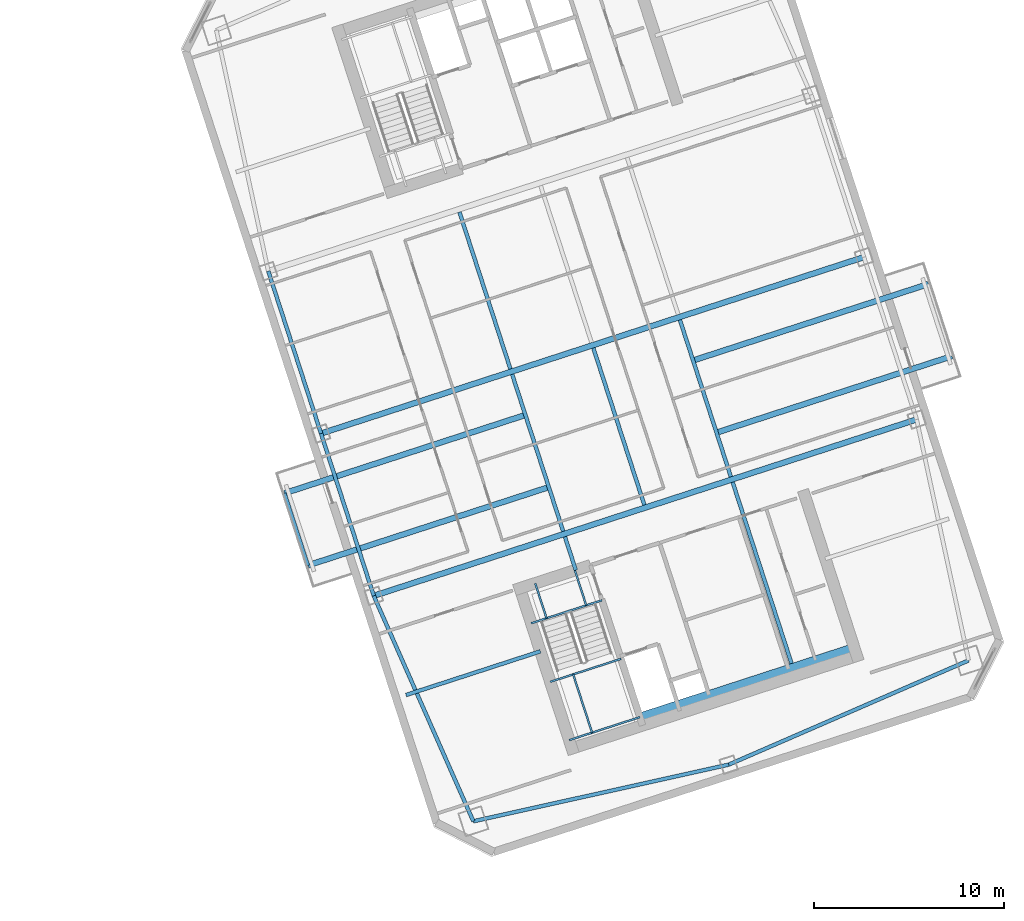
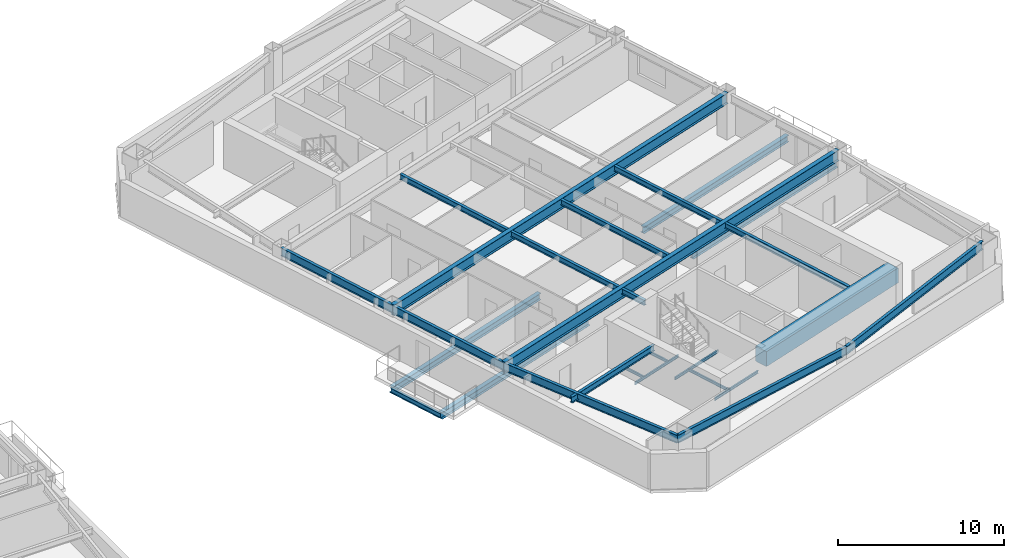
# One storey, part 9 of 22: 26 beams.
"""IFC4 building model written with IfcOpenShell, lengths in metres."""

from ifc_helpers import new_model, si_unit, direction, frame, origin, origin_2d, place, context, subcontext, project, spatial, rectangle, i_section, extrude, material, material_profile, profile_set, type_object, element, save


model = new_model("IFC4")

# Units and contexts
model_context = context("Model", 3, precision=1e-05, world=origin(), true_north=direction((0.0, 1.0)))
body_context = subcontext(model_context, "Body", "Model", "MODEL_VIEW")
ifc_project = project(units=[si_unit("LENGTHUNIT", "METRE"), si_unit("AREAUNIT", "SQUARE_METRE"), si_unit("VOLUMEUNIT", "CUBIC_METRE"), si_unit("PLANEANGLEUNIT", "RADIAN"), si_unit("MASSUNIT", "GRAM", prefix="KILO")], contexts=[model_context])

# Site, building, storey
site_placement = place(None, origin())
site = spatial("IfcSite", under=ifc_project, at=site_placement, CompositionType="ELEMENT")
building_placement = place(site_placement, origin())
building = spatial("IfcBuilding", under=site, at=building_placement, Name="Qiaolan Cultural Towers", CompositionType="ELEMENT")
storey_placement = place(building_placement, frame((0.0, 0.0, 146.050048828125)))
storey = spatial("IfcBuildingStorey", under=building, at=storey_placement, Name="L38", CompositionType="ELEMENT", Elevation=146.050048828125)

# Beams
ifc_material_1 = material(Name="Steel Q355B", Category="steel")
ifc_material_profile_1 = material_profile(ifc_material_1, i_section(OverallWidth=0.300048828125, OverallDepth=0.488037109375, WebThickness=0.010986328125, FlangeThickness=0.01806640625, at=origin_2d()), Name="HM488x300x11x18")
ifc_profile_set_1 = profile_set([ifc_material_profile_1], Name="Steel Q355B")
beam_type_1 = type_object("IfcBeamType", Name="BM-HM488x300x11x18", PredefinedType="BEAM", material=ifc_profile_set_1)
for number, where, z_axis, x_axis, name in (
    (1, (87.697998046875, 26.522705078125, -0.524169921875), (-0.951053553769, -0.309026111943, 0.0), (0.309026111943, -0.951053553769, 0.0), "L38 T2 Tree Balcony Back-Spanned Bracket Beam"),
    (2, (86.4619140625, 30.326904296875, -0.524169921875), (-0.951053553769, -0.309026111943, 0.0), (0.309026111943, -0.951053553769, 0.0), "L38 T2 Tree Balcony Back-Spanned Bracket Beam"),
):
    element("IfcBeam", number, at=place(storey_placement, frame(where, z_axis=z_axis, x_axis=x_axis)), inside=storey, type_object=beam_type_1, Name=name, PredefinedType="BEAM", context=body_context, shape_type="SweptSolid", body=[
        extrude(i_section(OverallWidth=0.300048828125, OverallDepth=0.488037109375, WebThickness=0.010986328125, FlangeThickness=0.01806640625, at=origin_2d()), origin(), (0.0, 0.0, 1.0), 13.349853515625),
    ])
for number, where, z_axis, x_axis, name in (
    (3, (96.542724609375, 29.396484375, -0.524169921875), (0.951056200688, 0.309017965713, 0.0), (-0.309017965713, 0.951056200688, 0.0), "L38 T2 Tree Balcony Back-Spanned Bracket Beam"),
    (4, (95.306640625, 33.20068359375, -0.524169921875), (0.951056200688, 0.309017965713, 0.0), (-0.309017965713, 0.951056200688, 0.0), "L38 T2 Tree Balcony Back-Spanned Bracket Beam"),
):
    element("IfcBeam", number, at=place(storey_placement, frame(where, z_axis=z_axis, x_axis=x_axis)), inside=storey, type_object=beam_type_1, Name=name, PredefinedType="BEAM", context=body_context, shape_type="SweptSolid", body=[
        extrude(i_section(OverallWidth=0.300048828125, OverallDepth=0.488037109375, WebThickness=0.010986328125, FlangeThickness=0.01806640625, at=origin_2d()), origin(), (0.0, 0.0, 1.0), 13.050048828125),
    ])
ifc_material_2 = material(Name="Steel Q355B", Category="steel")
ifc_material_profile_2 = material_profile(ifc_material_2, i_section(OverallWidth=0.300048828125, OverallDepth=0.800048828125, WebThickness=0.013916015625, FlangeThickness=0.02587890625, at=origin_2d()), Name="HN800x300x14x26")
ifc_profile_set_2 = profile_set([ifc_material_profile_2], Name="Steel Q355B")
beam_type_2 = type_object("IfcBeamType", Name="BM-HN800x300x14x26", PredefinedType="BEAM", material=ifc_profile_set_2)
beam_1_placement = place(storey_placement, frame((78.4677734375, 20.789794921875, 2.7900390625), z_axis=(0.951055226628, 0.309020963535, 0.0), x_axis=(-0.309020963535, 0.951055226628, 0.0)))
element("IfcBeam", 5, at=beam_1_placement, inside=storey, type_object=beam_type_2, Name="L38 T2 Primary Transverse Girder V1", PredefinedType="BEAM", context=body_context, shape_type="SweptSolid", body=[
    extrude(i_section(OverallWidth=0.300048828125, OverallDepth=0.800048828125, WebThickness=0.013916015625, FlangeThickness=0.02587890625, at=origin_2d()), origin(), (0.0, 0.0, 1.0), 30.099853515625),
])
beam_2_placement = place(storey_placement, frame((75.6865234375, 29.349365234375, 2.7900390625), z_axis=(0.951058384903, 0.309011243331, 0.0), x_axis=(-0.309011243331, 0.951058384903, 0.0)))
element("IfcBeam", 6, at=beam_2_placement, inside=storey, type_object=beam_type_2, Name="L38 T2 Primary Transverse Girder V2", PredefinedType="BEAM", context=body_context, shape_type="SweptSolid", body=[
    extrude(i_section(OverallWidth=0.300048828125, OverallDepth=0.800048828125, WebThickness=0.013916015625, FlangeThickness=0.02587890625, at=origin_2d()), origin(), (0.0, 0.0, 1.0), 30.10009765625),
])
ifc_material_3 = material(Name="Steel Q355B", Category="steel")
ifc_material_profile_3 = material_profile(ifc_material_3, i_section(OverallWidth=0.175048828125, OverallDepth=0.35009765625, WebThickness=0.007080078125, FlangeThickness=0.010986328125, at=origin_2d()), Name="HN350x175x7x11")
ifc_profile_set_3 = profile_set([ifc_material_profile_3], Name="Steel Q355B")
beam_type_3 = type_object("IfcBeamType", Name="BM-JST-HN350x175x7x11", PredefinedType="JOIST", material=ifc_profile_set_3)
beam_3_placement = place(storey_placement, frame((75.00146484375, 22.397216796875, -0.524169921875), z_axis=(-0.309022586479, 0.951054699292, 0.0), x_axis=(-0.951054699292, -0.309022586479, 0.0)))
element("IfcBeam", 7, at=beam_3_placement, inside=storey, type_object=beam_type_3, Name="L38 T2 Tree Balcony Outer Edge Beam", PredefinedType="JOIST", context=body_context, shape_type="SweptSolid", body=[
    extrude(i_section(OverallWidth=0.175048828125, OverallDepth=0.35009765625, WebThickness=0.007080078125, FlangeThickness=0.010986328125, at=origin_2d()), origin(), (0.0, 0.0, 1.0), 4.0),
])
ifc_material_4 = material(Name="Steel Q355B", Category="steel")
ifc_material_profile_4 = material_profile(ifc_material_4, i_section(OverallWidth=0.199951171875, OverallDepth=0.39990234375, WebThickness=0.008056640625, FlangeThickness=0.012939453125, at=origin_2d()), Name="HN400x200x8x13")
ifc_profile_set_4 = profile_set([ifc_material_profile_4], Name="Steel Q355B")
beam_type_4 = type_object("IfcBeamType", Name="BM-JST-HN400x200x8x13", PredefinedType="JOIST", material=ifc_profile_set_4)
beam_4_placement = place(storey_placement, frame((89.119384765625, 22.147705078125, 2.989990234375), z_axis=(-0.308933885266, 0.951083516067, 0.0), x_axis=(-0.951083516067, -0.308933885266, 0.0)))
element("IfcBeam", 8, at=beam_4_placement, inside=storey, type_object=beam_type_4, Name="L38 T2 Secondary Floor Joist U1-1", PredefinedType="JOIST", context=body_context, shape_type="SweptSolid", body=[
    extrude(i_section(OverallWidth=0.199951171875, OverallDepth=0.39990234375, WebThickness=0.008056640625, FlangeThickness=0.012939453125, at=origin_2d()), origin(), (0.0, 0.0, 1.0), 1.85009765625),
])
for number, where, z_axis, x_axis, name in (
    (9, (88.455078125, 24.192626953125, 2.989990234375), (-0.309020714809, 0.951055307445, 0.0), (-0.951055307445, -0.309020714809, 0.0), "L38 T2 Secondary Floor Joist U1-2"),
    (10, (85.673828125, 32.752197265625, 2.989990234375), (-0.309020714809, 0.951055307445, 0.0), (-0.951055307445, -0.309020714809, 0.0), "L38 T2 Secondary Floor Joist U1-3"),
    (11, (92.73486328125, 25.583251953125, 2.989990234375), (-0.309020714809, 0.951055307445, 0.0), (-0.951055307445, -0.309020714809, 0.0), "L38 T2 Secondary Floor Joist U2-2"),
):
    element("IfcBeam", number, at=place(storey_placement, frame(where, z_axis=z_axis, x_axis=x_axis)), inside=storey, type_object=beam_type_4, Name=name, PredefinedType="JOIST", context=body_context, shape_type="SweptSolid", body=[
        extrude(i_section(OverallWidth=0.199951171875, OverallDepth=0.39990234375, WebThickness=0.008056640625, FlangeThickness=0.012939453125, at=origin_2d()), origin(), (0.0, 0.0, 1.0), 8.699951171875),
    ])
beam_5_placement = place(storey_placement, frame((100.498291015625, 17.222900390625, 2.989990234375), z_axis=(-0.309025649293, 0.951053704098, 0.0), x_axis=(-0.951053704098, -0.309025649293, 0.0)))
element("IfcBeam", 12, at=beam_5_placement, inside=storey, type_object=beam_type_4, Name="L38 T2 Secondary Floor Joist U3-1", PredefinedType="JOIST", context=body_context, shape_type="SweptSolid", body=[
    extrude(i_section(OverallWidth=0.199951171875, OverallDepth=0.39990234375, WebThickness=0.008056640625, FlangeThickness=0.012939453125, at=origin_2d()), origin(), (0.0, 0.0, 1.0), 10.050048828125),
])
beam_6_placement = place(storey_placement, frame((97.2998046875, 27.06640625, 2.989990234375), z_axis=(-0.309020714809, 0.951055307445, 0.0), x_axis=(-0.951055307445, -0.309020714809, 0.0)))
element("IfcBeam", 13, at=beam_6_placement, inside=storey, type_object=beam_type_4, Name="L38 T2 Secondary Floor Joist U3-2", PredefinedType="JOIST", context=body_context, shape_type="SweptSolid", body=[
    extrude(i_section(OverallWidth=0.199951171875, OverallDepth=0.39990234375, WebThickness=0.008056640625, FlangeThickness=0.012939453125, at=origin_2d()), origin(), (0.0, 0.0, 1.0), 8.699951171875),
])
ifc_material_5 = material(Name="Steel Q355B", Category="steel")
ifc_material_profile_5 = material_profile(ifc_material_5, i_section(OverallWidth=0.199951171875, OverallDepth=0.449951171875, WebThickness=0.009033203125, FlangeThickness=0.013916015625, at=origin_2d()), Name="HN450x200x9x14")
ifc_profile_set_5 = profile_set([ifc_material_profile_5], Name="Steel Q355B")
beam_type_5 = type_object("IfcBeamType", Name="BM-LNT-HN450x200x9x14", PredefinedType="LINTEL", material=ifc_profile_set_5)
beam_7_placement = place(storey_placement, frame((87.252685546875, 17.861083984375, 2.96484375), z_axis=(-0.951064407856, -0.308992705592, 0.0), x_axis=(0.308992705592, -0.951064407856, 0.0)))
element("IfcBeam", 14, at=beam_7_placement, inside=storey, type_object=beam_type_5, Name="L38 T2 Core Flank Tie Lintel WS", PredefinedType="LINTEL", context=body_context, shape_type="SweptSolid", body=[
    extrude(i_section(OverallWidth=0.199951171875, OverallDepth=0.449951171875, WebThickness=0.009033203125, FlangeThickness=0.013916015625, at=origin_2d()), origin(), (0.0, 0.0, 1.0), 7.449951171875),
])
ifc_material_6 = material(Name="Concrete C50", Category="concrete")
ifc_material_profile_6 = material_profile(ifc_material_6, rectangle(XDim=0.89990234375, YDim=1.10009765625, at=origin_2d()), Name="RC900x1100")
ifc_profile_set_6 = profile_set([ifc_material_profile_6], Name="Concrete C50")
beam_type_6 = type_object("IfcBeamType", Name="BM-RC900x1100", PredefinedType="BEAM", material=ifc_profile_set_6)
beam_8_placement = place(storey_placement, frame((92.572265625, 14.174560546875, 2.639892578125), z_axis=(0.951056266386, 0.309017763514, 0.0), x_axis=(-0.309017763514, 0.951056266386, 0.0)))
element("IfcBeam", 15, at=beam_8_placement, inside=storey, type_object=beam_type_6, Name="L38 T2 Core Header Girder S", PredefinedType="BEAM", context=body_context, shape_type="SweptSolid", body=[
    extrude(rectangle(XDim=0.89990234375, YDim=1.10009765625, at=origin_2d()), origin(), (0.0, 0.0, 1.0), 11.880126953125),
])
ifc_material_7 = material(Name="Steel Q355B", Category="steel")
ifc_material_profile_7 = material_profile(ifc_material_7, i_section(OverallWidth=0.199951171875, OverallDepth=0.60009765625, WebThickness=0.010986328125, FlangeThickness=0.01708984375, at=origin_2d()), Name="HN600x200x11x17")
ifc_profile_set_7 = profile_set([ifc_material_profile_7], Name="Steel Q355B")
beam_type_7 = type_object("IfcBeamType", Name="BM-SPD-HN600x200x11x17", PredefinedType="SPANDREL", material=ifc_profile_set_7)
beam_9_placement = place(storey_placement, frame((83.71875, 8.900634765625, 2.889892578125), z_axis=(0.976265293399, 0.216578108094, 0.0), x_axis=(-0.216578108094, 0.976265293399, 0.0)))
element("IfcBeam", 16, at=beam_9_placement, inside=storey, type_object=beam_type_7, Name="L38 T2 Perimeter Spandrel Beam 1", PredefinedType="SPANDREL", context=body_context, shape_type="SweptSolid", body=[
    extrude(i_section(OverallWidth=0.199951171875, OverallDepth=0.60009765625, WebThickness=0.010986328125, FlangeThickness=0.01708984375, at=origin_2d()), origin(), (0.0, 0.0, 1.0), 13.793212890625),
])
beam_10_placement = place(storey_placement, frame((97.1845703125, 11.887939453125, 2.889892578125), z_axis=(0.917117043091, 0.398618024268, 0.0), x_axis=(-0.398618024268, 0.917117043091, 0.0)))
element("IfcBeam", 17, at=beam_10_placement, inside=storey, type_object=beam_type_7, Name="L38 T2 Perimeter Spandrel Beam 2", PredefinedType="SPANDREL", context=body_context, shape_type="SweptSolid", body=[
    extrude(i_section(OverallWidth=0.199951171875, OverallDepth=0.60009765625, WebThickness=0.010986328125, FlangeThickness=0.01708984375, at=origin_2d()), origin(), (0.0, 0.0, 1.0), 13.79345703125),
])
beam_11_placement = place(storey_placement, frame((72.905517578125, 37.90869140625, 2.889892578125), z_axis=(0.309008170129, -0.951059383421, 0.0), x_axis=(0.951059383421, 0.309008170129, 0.0)))
element("IfcBeam", 18, at=beam_11_placement, inside=storey, type_object=beam_type_7, Name="L38 T2 Perimeter Spandrel Beam 10", PredefinedType="SPANDREL", context=body_context, shape_type="SweptSolid", body=[
    extrude(i_section(OverallWidth=0.199951171875, OverallDepth=0.60009765625, WebThickness=0.010986328125, FlangeThickness=0.01708984375, at=origin_2d()), origin(), (0.0, 0.0, 1.0), 8.999755859375),
])
beam_12_placement = place(storey_placement, frame((75.6865234375, 29.349365234375, 2.889892578125), z_axis=(0.309024734286, -0.951054001411, 0.0), x_axis=(0.951054001411, 0.309024734286, 0.0)))
element("IfcBeam", 19, at=beam_12_placement, inside=storey, type_object=beam_type_7, Name="L38 T2 Perimeter Spandrel Beam 11", PredefinedType="SPANDREL", context=body_context, shape_type="SweptSolid", body=[
    extrude(i_section(OverallWidth=0.199951171875, OverallDepth=0.60009765625, WebThickness=0.010986328125, FlangeThickness=0.01708984375, at=origin_2d()), origin(), (0.0, 0.0, 1.0), 9.0),
])
beam_13_placement = place(storey_placement, frame((78.4677734375, 20.789794921875, 2.889892578125), z_axis=(0.404011070002, -0.914754095545, 0.0), x_axis=(0.914754095545, 0.404011070002, 0.0)))
element("IfcBeam", 20, at=beam_13_placement, inside=storey, type_object=beam_type_7, Name="L38 T2 Perimeter Spandrel Beam 12", PredefinedType="SPANDREL", context=body_context, shape_type="SweptSolid", body=[
    extrude(i_section(OverallWidth=0.199951171875, OverallDepth=0.60009765625, WebThickness=0.010986328125, FlangeThickness=0.01708984375, at=origin_2d()), origin(), (0.0, 0.0, 1.0), 12.9970703125),
])
ifc_material_8 = material(Name="Steel Q355B", Category="steel")
ifc_material_profile_8 = material_profile(ifc_material_8, i_section(OverallWidth=0.10009765625, OverallDepth=0.199951171875, WebThickness=0.005615234375, FlangeThickness=0.008056640625, at=origin_2d()), Name="HN200x100x5.5x8")
ifc_profile_set_8 = profile_set([ifc_material_profile_8], Name="Steel Q355B")
beam_type_8 = type_object("IfcBeamType", Name="BM-STTRIM-200", PredefinedType="BEAM", material=ifc_profile_set_8)
beam_14_placement = place(storey_placement, frame((86.770751953125, 19.3447265625, -0.4599609375), z_axis=(0.951047798727, 0.309043823005, 0.0), x_axis=(-0.309043823005, 0.951047798727, 0.0)))
element("IfcBeam", 21, at=beam_14_placement, inside=storey, type_object=beam_type_8, Name="L38 ST-E1 Floor Landing Header Beam", PredefinedType="BEAM", context=body_context, shape_type="SweptSolid", body=[
    extrude(i_section(OverallWidth=0.10009765625, OverallDepth=0.199951171875, WebThickness=0.005615234375, FlangeThickness=0.008056640625, at=origin_2d()), origin(), (0.0, 0.0, 1.0), 3.919921875),
])
for number, where, z_axis, x_axis, name in (
    (22, (86.9794921875, 21.452392578125, -0.4599609375), (0.309083226701, -0.951034993558, 0.0), (0.951034993558, 0.309083226701, 0.0), "L38 ST-E1 Floor Landing Stringer 1"),
    (23, (89.07177734375, 22.13232421875, -0.4599609375), (0.309083226701, -0.951034993558, 0.0), (0.951034993558, 0.309083226701, 0.0), "L38 ST-E1 Floor Landing Stringer 2"),
):
    element("IfcBeam", number, at=place(storey_placement, frame(where, z_axis=z_axis, x_axis=x_axis)), inside=storey, type_object=beam_type_8, Name=name, PredefinedType="BEAM", context=body_context, shape_type="SweptSolid", body=[
        extrude(i_section(OverallWidth=0.10009765625, OverallDepth=0.199951171875, WebThickness=0.005615234375, FlangeThickness=0.008056640625, at=origin_2d()), origin(), (0.0, 0.0, 1.0), 1.93994140625),
    ])
for number, where, z_axis, x_axis, name in (
    (24, (87.774658203125, 16.255126953125, 1.425048828125), (0.951047798727, 0.309043823005, 0.0), (-0.309043823005, 0.951047798727, 0.0), "L38 ST-E1 Stair Landing Support Beam 1-1"),
    (25, (88.773193359375, 13.181884765625, 1.425048828125), (0.951047798727, 0.309043823005, 0.0), (-0.309043823005, 0.951047798727, 0.0), "L38 ST-E1 Stair Landing Support Beam 1-2"),
):
    element("IfcBeam", number, at=place(storey_placement, frame(where, z_axis=z_axis, x_axis=x_axis)), inside=storey, type_object=beam_type_8, Name=name, PredefinedType="BEAM", context=body_context, shape_type="SweptSolid", body=[
        extrude(i_section(OverallWidth=0.10009765625, OverallDepth=0.199951171875, WebThickness=0.005615234375, FlangeThickness=0.008056640625, at=origin_2d()), origin(), (0.0, 0.0, 1.0), 3.919921875),
    ])
beam_15_placement = place(storey_placement, frame((88.982421875, 16.6474609375, 1.425048828125), z_axis=(0.309033108495, -0.951051280349, 0.0), x_axis=(0.951051280349, 0.309033108495, 0.0)))
element("IfcBeam", 26, at=beam_15_placement, inside=storey, type_object=beam_type_8, Name="L38 ST-E1 Stair Landing Trimmer 1", PredefinedType="BEAM", context=body_context, shape_type="SweptSolid", body=[
    extrude(i_section(OverallWidth=0.10009765625, OverallDepth=0.199951171875, WebThickness=0.005615234375, FlangeThickness=0.008056640625, at=origin_2d()), origin(), (0.0, 0.0, 1.0), 3.231201171875),
])

save(model, "model.ifc")
